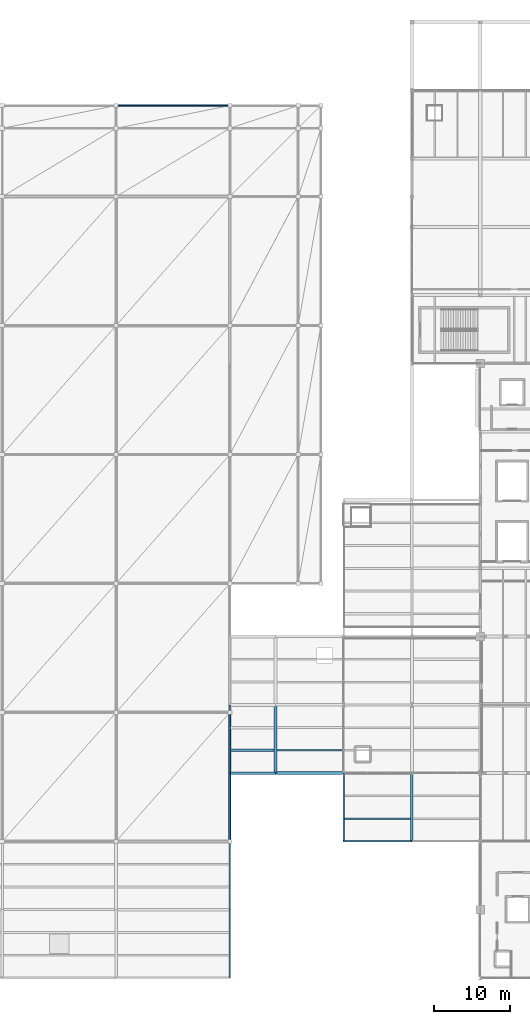
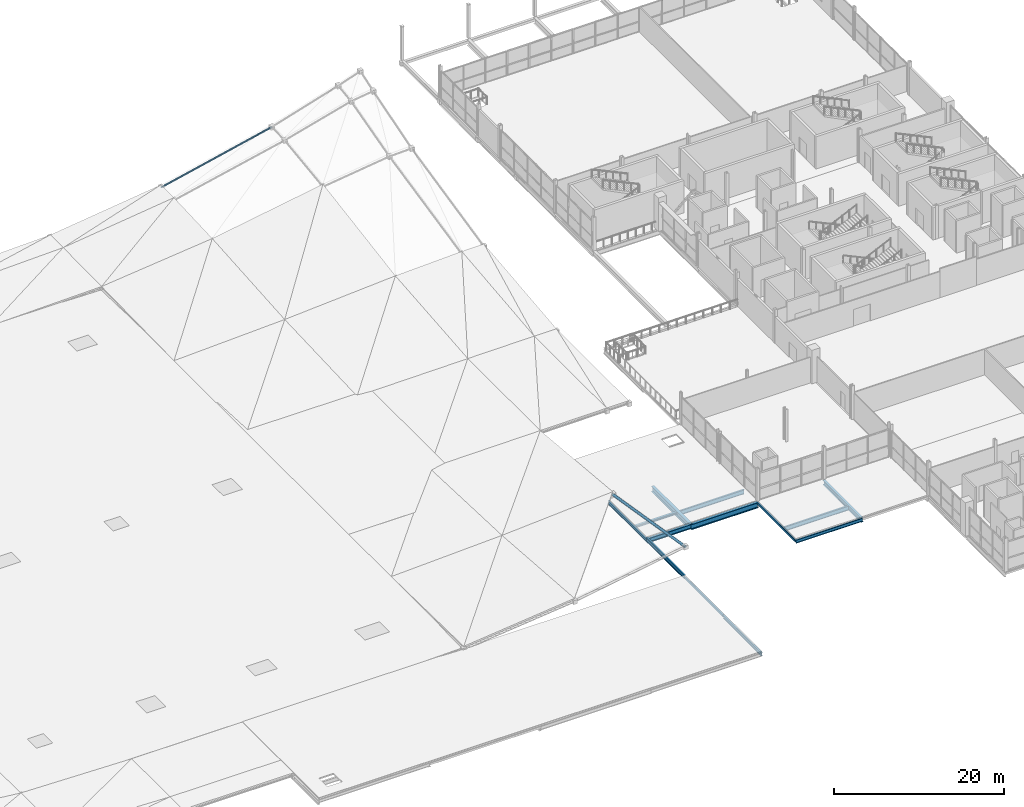
# One storey, part 13 of 69: 13 beams, 2 members.
"""IFC4 building model written with IfcOpenShell, lengths in metres."""

from ifc_helpers import new_model, si_unit, direction, frame, origin, origin_2d, place, context, subcontext, project, spatial, hollow_rectangle, hollow_circle, i_section, extrude, material, material_profile, profile_set, type_object, element, save


model = new_model("IFC4")

# Units and contexts
model_context = context("Model", 3, precision=1e-05, world=origin(), true_north=direction((0.0, 1.0)))
body_context = subcontext(model_context, "Body", "Model", "MODEL_VIEW")
ifc_project = project(units=[si_unit("LENGTHUNIT", "METRE"), si_unit("AREAUNIT", "SQUARE_METRE"), si_unit("VOLUMEUNIT", "CUBIC_METRE"), si_unit("PLANEANGLEUNIT", "RADIAN"), si_unit("MASSUNIT", "GRAM", prefix="KILO")], contexts=[model_context])

# Site, building, storey
site_placement = place(None, origin())
site = spatial("IfcSite", under=ifc_project, at=site_placement, CompositionType="ELEMENT")
building_placement = place(site_placement, origin())
building = spatial("IfcBuilding", under=site, at=building_placement, Name="Qamarlyn Nura Convention Centre", CompositionType="ELEMENT")
storey_placement = place(building_placement, frame((0.0, 0.0, 15.60009765625)))
storey = spatial("IfcBuildingStorey", under=building, at=storey_placement, Name="L03", CompositionType="ELEMENT", Elevation=15.60009765625)

# Beams
ifc_material_1 = material(Name="Steel ASTM A992", Category="steel")
ifc_material_profile_1 = material_profile(ifc_material_1, i_section(OverallWidth=0.323974609375, OverallDepth=0.611083984375, WebThickness=0.0126953125, FlangeThickness=0.01904296875, FilletRadius=0.01611328125, at=origin_2d()), Name="W610X155")
ifc_profile_set_1 = profile_set([ifc_material_profile_1], Name="Steel ASTM A992")
beam_type_1 = type_object("IfcBeamType", Name="BM-GIRD-610", PredefinedType="BEAM", material=ifc_profile_set_1)
beam_1_placement = place(storey_placement, frame((120.0, 27.0, -0.480712890625), z_axis=(1.0, 0.0, 0.0), x_axis=(0.0, 1.0, 0.0)))
element("IfcBeam", 1, at=beam_1_placement, inside=storey, type_object=beam_type_1, Name="L03 girder D 9-10", PredefinedType="BEAM", context=body_context, shape_type="SweptSolid", body=[
    extrude(i_section(OverallWidth=0.323974609375, OverallDepth=0.611083984375, WebThickness=0.0126953125, FlangeThickness=0.01904296875, FilletRadius=0.01611328125, at=origin_2d()), origin(), (0.0, 0.0, 1.0), 6.0),
])
beam_2_placement = place(storey_placement, frame((144.0, 18.0, -0.480712890625), z_axis=(0.0, 1.0, 0.0), x_axis=(-1.0, 0.0, 0.0)))
element("IfcBeam", 2, at=beam_2_placement, inside=storey, type_object=beam_type_1, Name="L03 girder 12 C-D", PredefinedType="BEAM", context=body_context, shape_type="SweptSolid", body=[
    extrude(i_section(OverallWidth=0.323974609375, OverallDepth=0.611083984375, WebThickness=0.0126953125, FlangeThickness=0.01904296875, FilletRadius=0.01611328125, at=origin_2d()), origin(), (0.0, 0.0, 1.0), 9.0),
])
ifc_material_profile_2 = material_profile(ifc_material_1, i_section(OverallWidth=0.381103515625, OverallDepth=0.77294921875, WebThickness=0.0166015625, FlangeThickness=0.027587890625, FilletRadius=0.02001953125, at=origin_2d()), Name="W760X257")
ifc_profile_set_2 = profile_set([ifc_material_profile_2], Name="Steel ASTM A992")
beam_type_2 = type_object("IfcBeamType", Name="BM-GIRD-760", PredefinedType="BEAM", material=ifc_profile_set_2)
for number, where, z_axis, x_axis, name in (
    (3, (126.0, 27.0, -0.5615234375), (1.0, 0.0, 0.0), (0.0, 1.0, 0.0), "L03 girder D 10-11"),
    (4, (126.0, 27.0, -0.5615234375), (0.0, 1.0, 0.0), (-1.0, 0.0, 0.0), "L03 girder 10 D-E"),
):
    element("IfcBeam", number, at=place(storey_placement, frame(where, z_axis=z_axis, x_axis=x_axis)), inside=storey, type_object=beam_type_2, Name=name, PredefinedType="BEAM", context=body_context, shape_type="SweptSolid", body=[
        extrude(i_section(OverallWidth=0.381103515625, OverallDepth=0.77294921875, WebThickness=0.0166015625, FlangeThickness=0.027587890625, FilletRadius=0.02001953125, at=origin_2d()), origin(), (0.0, 0.0, 1.0), 9.0),
    ])
ifc_material_profile_3 = material_profile(ifc_material_1, i_section(OverallWidth=0.304931640625, OverallDepth=0.30810546875, WebThickness=0.010009765625, FlangeThickness=0.015380859375, FilletRadius=0.014892578125, at=origin_2d()), Name="W310X97")
ifc_profile_set_3 = profile_set([ifc_material_profile_3], Name="Steel ASTM A992")
beam_type_3 = type_object("IfcBeamType", Name="BM-JOIST-310", PredefinedType="JOIST", material=ifc_profile_set_3)
beam_3_placement = place(storey_placement, frame((120.096435546875, 30.0, -0.3291015625), z_axis=(1.0, 0.0, 0.0), x_axis=(0.0, 1.0, 0.0)))
element("IfcBeam", 5, at=beam_3_placement, inside=storey, type_object=beam_type_3, Name="L03 composite joist 9-10/D+1", PredefinedType="JOIST", context=body_context, shape_type="SweptSolid", body=[
    extrude(i_section(OverallWidth=0.304931640625, OverallDepth=0.30810546875, WebThickness=0.010009765625, FlangeThickness=0.015380859375, FilletRadius=0.014892578125, at=origin_2d()), origin(), (0.0, 0.0, 1.0), 5.713134765625),
])
ifc_material_profile_4 = material_profile(ifc_material_1, i_section(OverallWidth=0.22802734375, OverallDepth=0.60791015625, WebThickness=0.01123046875, FlangeThickness=0.017333984375, FilletRadius=0.01611328125, at=origin_2d()), Name="W610X113")
ifc_profile_set_4 = profile_set([ifc_material_profile_4], Name="Steel ASTM A992")
beam_type_4 = type_object("IfcBeamType", Name="BM-JOIST-610", PredefinedType="JOIST", material=ifc_profile_set_4)
beam_4_placement = place(storey_placement, frame((126.1904296875, 30.0, -0.47900390625), z_axis=(1.0, 0.0, 0.0), x_axis=(0.0, 1.0, 0.0)))
element("IfcBeam", 6, at=beam_4_placement, inside=storey, type_object=beam_type_4, Name="L03 composite joist 10-11/D+1", PredefinedType="JOIST", context=body_context, shape_type="SweptSolid", body=[
    extrude(i_section(OverallWidth=0.22802734375, OverallDepth=0.60791015625, WebThickness=0.01123046875, FlangeThickness=0.017333984375, FilletRadius=0.01611328125, at=origin_2d()), origin(), (0.0, 0.0, 1.0), 8.7041015625),
])
beam_5_placement = place(storey_placement, frame((135.10009765625, 21.0, -0.47900390625), z_axis=(1.0, 0.0, 0.0), x_axis=(0.0, 1.0, 0.0)))
element("IfcBeam", 7, at=beam_5_placement, inside=storey, type_object=beam_type_4, Name="L03 composite joist 11-12/C+1", PredefinedType="JOIST", context=body_context, shape_type="SweptSolid", body=[
    extrude(i_section(OverallWidth=0.22802734375, OverallDepth=0.60791015625, WebThickness=0.01123046875, FlangeThickness=0.017333984375, FilletRadius=0.01611328125, at=origin_2d()), origin(), (0.0, 0.0, 1.0), 8.73779296875),
])
ifc_material_profile_5 = material_profile(ifc_material_1, i_section(OverallWidth=0.193115234375, OverallDepth=0.466064453125, WebThickness=0.011474609375, FlangeThickness=0.01904296875, FilletRadius=0.012939453125, at=origin_2d()), Name="W460X97")
ifc_profile_set_5 = profile_set([ifc_material_profile_5], Name="Steel ASTM A992")
beam_type_5 = type_object("IfcBeamType", Name="BM-SPAN-460", PredefinedType="SPANDREL", material=ifc_profile_set_5)
for number, where, z_axis, x_axis, name in (
    (8, (135.0, 18.0, -0.408203125), (1.0, 0.0, 0.0), (0.0, 1.0, 0.0), "L03 girder C 11-12"),
    (9, (120.0, 0.0, -0.408203125), (0.0, 1.0, 0.0), (-1.0, 0.0, 0.0), "L03 girder 9 A-B"),
    (10, (120.0, 27.0, -0.408203125), (0.0, 1.0, 0.0), (-1.0, 0.0, 0.0), "L03 girder 9 D-E"),
):
    element("IfcBeam", number, at=place(storey_placement, frame(where, z_axis=z_axis, x_axis=x_axis)), inside=storey, type_object=beam_type_5, Name=name, PredefinedType="SPANDREL", context=body_context, shape_type="SweptSolid", body=[
        extrude(i_section(OverallWidth=0.193115234375, OverallDepth=0.466064453125, WebThickness=0.011474609375, FlangeThickness=0.01904296875, FilletRadius=0.012939453125, at=origin_2d()), origin(), (0.0, 0.0, 1.0), 9.0),
    ])
ifc_material_profile_6 = material_profile(ifc_material_1, i_section(OverallWidth=0.2109375, OverallDepth=0.5390625, WebThickness=0.01171875, FlangeThickness=0.018798828125, FilletRadius=0.013916015625, at=origin_2d()), Name="W530X109")
ifc_profile_set_6 = profile_set([ifc_material_profile_6], Name="Steel ASTM A992")
beam_type_6 = type_object("IfcBeamType", Name="BM-SPAN-530", PredefinedType="SPANDREL", material=ifc_profile_set_6)
beam_6_placement = place(storey_placement, frame((120.0, 18.0, -0.26953125), z_axis=(0.0, 1.0, 0.0), x_axis=(-1.0, 0.0, 0.0)))
element("IfcBeam", 11, at=beam_6_placement, inside=storey, type_object=beam_type_6, Name="L03 girder 9 C-D", PredefinedType="SPANDREL", context=body_context, shape_type="SweptSolid", body=[
    extrude(i_section(OverallWidth=0.2109375, OverallDepth=0.5390625, WebThickness=0.01171875, FlangeThickness=0.018798828125, FilletRadius=0.013916015625, at=origin_2d()), origin(), (0.0, 0.0, 1.0), 9.0),
])
ifc_material_2 = material(Name="Steel ASTM A500 Grade C", Category="steel")
ifc_material_profile_7 = material_profile(ifc_material_2, hollow_rectangle(XDim=0.199951171875, YDim=0.300048828125, WallThickness=0.012451171875, InnerFilletRadius=0.012451171875, OuterFilletRadius=0.02490234375, at=origin_2d()), Name="HSS300X200X12.5")
ifc_profile_set_7 = profile_set([ifc_material_profile_7], Name="Steel ASTM A500 Grade C")
beam_type_7 = type_object("IfcBeamType", Name="BM-SPAN-HSS", PredefinedType="SPANDREL", material=ifc_profile_set_7)
for number, where, z_axis, x_axis, name in (
    (12, (120.0, 9.0, -0.3251953125), (0.0, 1.0, 0.0), (-1.0, 0.0, 0.0), "L03 girder 9 B-C"),
    (13, (135.0, 18.0, -0.3251953125), (0.0, 1.0, 0.0), (-1.0, 0.0, 0.0), "L03 girder 11 C-D"),
):
    element("IfcBeam", number, at=place(storey_placement, frame(where, z_axis=z_axis, x_axis=x_axis)), inside=storey, type_object=beam_type_7, Name=name, PredefinedType="SPANDREL", context=body_context, shape_type="SweptSolid", body=[
        extrude(hollow_rectangle(XDim=0.199951171875, YDim=0.300048828125, WallThickness=0.012451171875, InnerFilletRadius=0.012451171875, OuterFilletRadius=0.02490234375, at=origin_2d()), origin(), (0.0, 0.0, 1.0), 9.0),
    ])

# Members
ifc_material_3 = material(Name="Pearl-white PVDF steel ASTM A500 Grade C", Category="steel")
ifc_material_profile_8 = material_profile(ifc_material_3, hollow_circle(Radius=0.122314453125, WallThickness=0.010009765625, at=origin_2d()), Name="CHS244.5X10")
ifc_profile_set_8 = profile_set([ifc_material_profile_8], Name="Pearl-white PVDF steel ASTM A500 Grade C")
member_type_1 = type_object("IfcMemberType", Name="SF-TC-EAVE", PredefinedType="CHORD", material=ifc_profile_set_8)
member_1_placement = place(storey_placement, frame((105.0, 115.0, 2.0), z_axis=(0.975159042011, 0.0, 0.221505852707), x_axis=(0.0, 1.0, 0.0)))
element("IfcMember", 14, at=member_1_placement, inside=storey, type_object=member_type_1, Name="ROOF TRUSS space frame top chord X9-9", PredefinedType="CHORD", context=body_context, shape_type="SweptSolid", body=[
    extrude(hollow_circle(Radius=0.122314453125, WallThickness=0.010009765625, at=origin_2d()), origin(), (0.0, 0.0, 1.0), 15.382080078125),
])
ifc_material_profile_9 = material_profile(ifc_material_3, hollow_circle(Radius=0.177734375, WallThickness=0.01611328125, at=origin_2d()), Name="CHS355.6X16")
ifc_profile_set_9 = profile_set([ifc_material_profile_9], Name="Pearl-white PVDF steel ASTM A500 Grade C")
member_type_2 = type_object("IfcMemberType", Name="SF-TC-HEAVY", PredefinedType="CHORD", material=ifc_profile_set_9)
member_2_placement = place(storey_placement, frame((120.0, 18.0, 4.114013671875), z_axis=(0.0, 0.986422241624, -0.164228990222), x_axis=(-1.0, 0.0, 0.0)))
element("IfcMember", 15, at=member_2_placement, inside=storey, type_object=member_type_2, Name="ROOF TRUSS space frame top chord Y10-2", PredefinedType="CHORD", context=body_context, shape_type="SweptSolid", body=[
    extrude(hollow_circle(Radius=0.177734375, WallThickness=0.01611328125, at=origin_2d()), origin(), (0.0, 0.0, 1.0), 17.23388671875),
])

save(model, "model.ifc")
